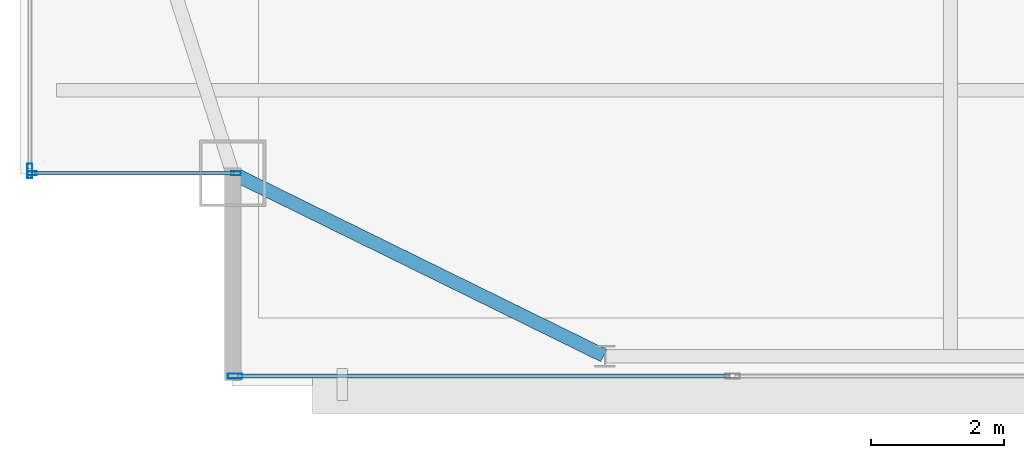
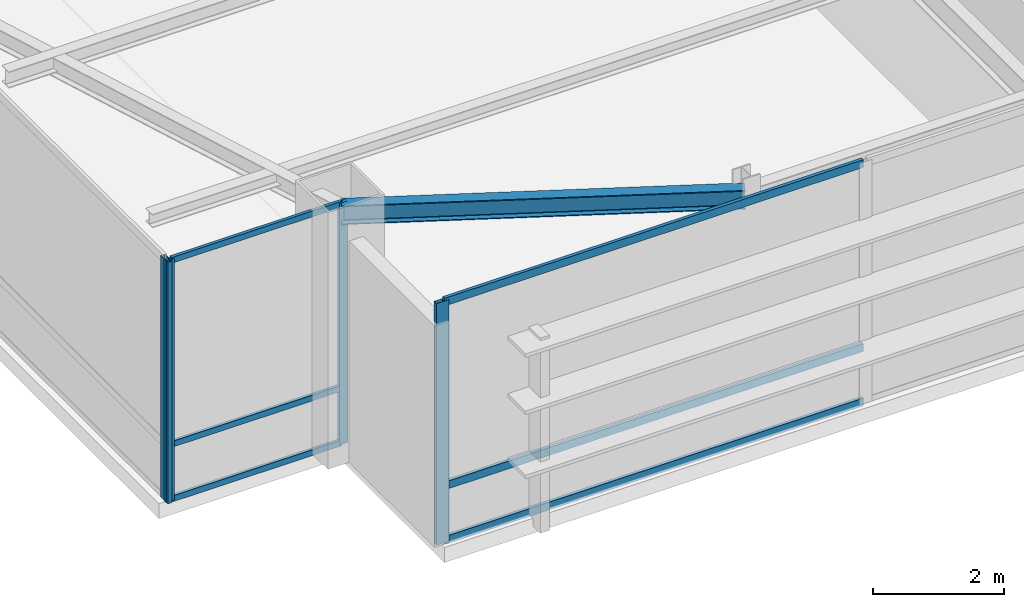
# One storey, part 4 of 21: 10 members, 1 beam, 3 elements without a shape of their own.
"""IFC4 building model written with IfcOpenShell, lengths in metres."""

import ifcopenshell
import ifcopenshell.guid

model = None  # the IFC model being written
_history = None  # IfcOwnerHistory: only IFC2X3 demands one
_inside = {}  # id of a spatial element -> (the spatial element, [elements in it])
_under = {}  # id of a project, library or spatial element -> (it, [spatial elements below it])
_declared = {}  # id of a project -> (the project, [libraries it declares])
_typed = {}  # id of a type object -> (the type object, [elements of that type])
_made_of = {}  # id of a material, layer set ... -> (it, [elements and type objects made of it])


def new_model(schema):
    """Start an empty IFC model of exactly this schema.

    Asked for "IFC4X3", IfcOpenShell would pick the latest addendum, in which some entities
    have other attributes; the version numbers below select the first issue.
    IFC2X3 requires an IfcOwnerHistory on every rooted entity: one is made here for all.
    """
    global model, _history
    if schema == "IFC4X3":
        model = ifcopenshell.file(schema_version=(4, 3, 0, 0))
    else:
        model = ifcopenshell.file(schema=schema)
    _inside.clear()
    _under.clear()
    _declared.clear()
    _typed.clear()
    _made_of.clear()
    _history = None
    if model.schema == "IFC2X3":
        org = make("IfcOrganization", Name="unknown")
        user = make(
            "IfcPersonAndOrganization",
            ThePerson=make("IfcPerson", FamilyName="unknown"),
            TheOrganization=org,
        )
        app = make(
            "IfcApplication",
            ApplicationDeveloper=org,
            Version="unknown",
            ApplicationFullName="unknown",
            ApplicationIdentifier="unknown",
        )
        _history = make(
            "IfcOwnerHistory",
            OwningUser=user,
            OwningApplication=app,
            ChangeAction="ADDED",
            CreationDate=0,
        )
    return model


def make(cls, **values):
    """One entity of the class cls with the attributes given. An attribute that is None is left unset."""
    return model.create_entity(
        cls, **{name: value for name, value in values.items() if value is not None}
    )


def rooted(cls, **values):
    """An entity with a GlobalId (a new one), such as an element, a storey or a relation."""
    return make(cls, GlobalId=ifcopenshell.guid.new(), OwnerHistory=_history, **values)


def si_unit(unit_type, name, prefix=None):
    """IfcSIUnit, for example si_unit("LENGTHUNIT", "METRE", prefix="MILLI")."""
    return make("IfcSIUnit", UnitType=unit_type, Prefix=prefix, Name=name)


def assignment(units):
    """IfcUnitAssignment: the units of a project."""
    return None if units is None else make("IfcUnitAssignment", Units=units)


def point(xyz):
    """IfcCartesianPoint."""
    return None if xyz is None else make("IfcCartesianPoint", Coordinates=xyz)


def direction(xyz):
    """IfcDirection."""
    return None if xyz is None else make("IfcDirection", DirectionRatios=xyz)


def frame(location, z_axis=None, x_axis=None):
    """IfcAxis2Placement3D, a coordinate frame: its origin and axes. An axis left out is left unset."""
    return make(
        "IfcAxis2Placement3D",
        Location=point(location),
        Axis=direction(z_axis),
        RefDirection=direction(x_axis),
    )


def frame_2d(location, x_axis=None):
    """IfcAxis2Placement2D, a coordinate frame in the plane: its origin and x axis."""
    return make(
        "IfcAxis2Placement2D", Location=point(location), RefDirection=direction(x_axis)
    )


def origin():
    """The frame at (0, 0, 0) with its axes left unset."""
    return frame((0.0, 0.0, 0.0))


def origin_2d():
    """The frame at (0, 0) in the plane with its x axis left unset."""
    return frame_2d((0.0, 0.0))


def place(relative_to, where):
    """IfcLocalPlacement: puts the frame where relative to a parent placement (None: the world)."""
    return make(
        "IfcLocalPlacement", PlacementRelTo=relative_to, RelativePlacement=where
    )


def context(
    kind, dimensions, precision=None, world=None, true_north=None, identifier=None
):
    """IfcGeometricRepresentationContext, for example the 3D "Model" context."""
    return make(
        "IfcGeometricRepresentationContext",
        ContextIdentifier=identifier,
        ContextType=kind,
        CoordinateSpaceDimension=dimensions,
        Precision=precision,
        WorldCoordinateSystem=world,
        TrueNorth=true_north,
    )


def subcontext(parent, identifier, kind, view, scale=None):
    """IfcGeometricRepresentationSubContext, for example "Body" below "Model"."""
    return make(
        "IfcGeometricRepresentationSubContext",
        ContextIdentifier=identifier,
        ContextType=kind,
        ParentContext=parent,
        TargetScale=scale,
        TargetView=view,
    )


def project(units=None, contexts=None):
    """IfcProject with its units and contexts."""
    return rooted(
        "IfcProject",
        Name="project",
        RepresentationContexts=contexts,
        UnitsInContext=assignment(units),
    )


def spatial(cls, under=None, at=None, **own):
    """A site, building, storey or space (cls), placed at a placement, below another one or the project."""
    s = rooted(cls, ObjectPlacement=at, **own)
    if under is not None:
        _under.setdefault(under.id(), (under, []))[1].append(s)
    return s


def profile(cls, at=None, kind="AREA", **sizes):
    """A parametric profile (cls). Its sizes go by their IFC names, for example OverallWidth=200.0."""
    return make(cls, ProfileType=kind, Position=at, **sizes)


def hollow_rectangle(**sizes):
    """IfcRectangleHollowProfileDef."""
    return profile("IfcRectangleHollowProfileDef", **sizes)


def i_section(**sizes):
    """IfcIShapeProfileDef."""
    return profile("IfcIShapeProfileDef", **sizes)


def extrude(swept, where, along, depth):
    """IfcExtrudedAreaSolid: the profile swept, set in the frame where, extruded along a direction by depth."""
    return make(
        "IfcExtrudedAreaSolid",
        SweptArea=swept,
        Position=where,
        ExtrudedDirection=direction(along),
        Depth=depth,
    )


def shape(context_of_items, identifier, shape_type, items):
    """IfcShapeRepresentation: the items that make up one representation, for example the "Body"."""
    return make(
        "IfcShapeRepresentation",
        ContextOfItems=context_of_items,
        RepresentationIdentifier=identifier,
        RepresentationType=shape_type,
        Items=items,
    )


def source(mapping_origin, context_of_items, identifier, shape_type, items):
    """IfcRepresentationMap: a shape defined once, which mapped items show again and again."""
    return make(
        "IfcRepresentationMap",
        MappingOrigin=mapping_origin,
        MappedRepresentation=shape(context_of_items, identifier, shape_type, items),
    )


def transform(
    local_origin,
    x_axis=None,
    y_axis=None,
    z_axis=None,
    scale=None,
    scale2=None,
    scale3=None,
    uniform=True,
):
    """IfcCartesianTransformationOperator3D, or its non-uniform kind. x_axis, y_axis, z_axis: its Axis1, 2, 3."""
    if uniform:
        return make(
            "IfcCartesianTransformationOperator3D",
            Axis1=direction(x_axis),
            Axis2=direction(y_axis),
            LocalOrigin=point(local_origin),
            Scale=scale,
            Axis3=direction(z_axis),
        )
    return make(
        "IfcCartesianTransformationOperator3DnonUniform",
        Axis1=direction(x_axis),
        Axis2=direction(y_axis),
        LocalOrigin=point(local_origin),
        Scale=scale,
        Axis3=direction(z_axis),
        Scale2=scale2,
        Scale3=scale3,
    )


def mapped(mapping_source, mapping_target):
    """IfcMappedItem: shows the shape of a source again, moved by a transform."""
    return make(
        "IfcMappedItem", MappingSource=mapping_source, MappingTarget=mapping_target
    )


def material(Name=None, Category=None):
    """IfcMaterial."""
    return make("IfcMaterial", Name=Name, Category=Category)


def layer(
    of_material, thickness, ventilated=None, Name=None, Category=None, Priority=None
):
    """IfcMaterialLayer: one layer of a wall or slab, of a material (None: an air gap)."""
    return make(
        "IfcMaterialLayer",
        Material=of_material,
        LayerThickness=thickness,
        IsVentilated=ventilated,
        Name=Name,
        Category=Category,
        Priority=Priority,
    )


def layer_set(layers, Name=None):
    """IfcMaterialLayerSet."""
    return make("IfcMaterialLayerSet", MaterialLayers=layers, LayerSetName=Name)


def material_profile(
    of_material, cross_section, Name=None, Category=None, Priority=None
):
    """IfcMaterialProfile: a cross section and its material."""
    return make(
        "IfcMaterialProfile",
        Name=Name,
        Material=of_material,
        Profile=cross_section,
        Priority=Priority,
        Category=Category,
    )


def profile_set(profiles, Name=None, composite=None):
    """IfcMaterialProfileSet."""
    return make(
        "IfcMaterialProfileSet",
        Name=Name,
        MaterialProfiles=profiles,
        CompositeProfile=composite,
    )


def made_of(thing, what):
    """Note that an element or type object is made of a material, layer set ...; save() writes the relation."""
    if what is not None:
        _made_of.setdefault(what.id(), (what, []))[1].append(thing)
    return thing


def type_object(cls, material=None, **own):
    """A type object (cls), such as IfcWallType, which elements share."""
    return made_of(rooted(cls, **own), material)


def type_shapes(of_type, sources):
    """Give a type object the sources (RepresentationMaps) that its elements show as mapped items."""
    of_type.RepresentationMaps = sources


def element(
    cls,
    number,
    at=None,
    inside=None,
    cuts=None,
    type_object=None,
    material=None,
    context=None,
    identifier="Body",
    shape_type=None,
    held_by="IfcProductDefinitionShape",
    body=None,
    shapes=None,
    **own,
):
    """One element of the class cls, such as IfcWall. Its Tag is "e" and its number.

    at: its placement. inside: the storey or other place that contains it. cuts: it is an
    opening in that element (IfcRelVoidsElement). A single representation is given by context,
    identifier, shape_type and body (its items); several are given by shapes. held_by: the class
    of the entity that holds the representations. save() writes the other relations.
    """
    e = rooted(cls, Tag="e%d" % number, ObjectPlacement=at, **own)
    if body is not None:
        shapes = [shape(context, identifier, shape_type, body)]
    if shapes is not None:
        e.Representation = make(held_by, Representations=shapes)
    if inside is not None:
        _inside.setdefault(inside.id(), (inside, []))[1].append(e)
    if cuts is not None:
        rooted(
            "IfcRelVoidsElement", RelatingBuildingElement=cuts, RelatedOpeningElement=e
        )
    if type_object is not None:
        _typed.setdefault(type_object.id(), (type_object, []))[1].append(e)
    return made_of(e, material)


def aggregate(whole, parts):
    """IfcRelAggregates: a whole, such as a stair, and the parts it consists of."""
    return rooted("IfcRelAggregates", RelatingObject=whole, RelatedObjects=parts)


def save(model, path):
    """Write the relations noted so far, then the file.

    IfcRelAggregates (storeys below a building ...), IfcRelContainedInSpatialStructure (elements
    in a storey), IfcRelDefinesByType, IfcRelAssociatesMaterial and IfcRelDeclares: one each for
    every whole, place, type object, material and project.
    """
    for whole, parts in _under.values():
        aggregate(whole, parts)
    for where, things in _inside.values():
        rooted(
            "IfcRelContainedInSpatialStructure",
            RelatedElements=things,
            RelatingStructure=where,
        )
    for kind, things in _typed.values():
        rooted("IfcRelDefinesByType", RelatedObjects=things, RelatingType=kind)
    for what, things in _made_of.values():
        rooted("IfcRelAssociatesMaterial", RelatedObjects=things, RelatingMaterial=what)
    for by, libraries in _declared.values():
        rooted("IfcRelDeclares", RelatingContext=by, RelatedDefinitions=libraries)
    model.write(path)


model = new_model("IFC4")

# Units and contexts
model_context = context("Model", 3, precision=1e-05, world=origin(), true_north=direction((0.0, 1.0)))
body_context = subcontext(model_context, "Body", "Model", "MODEL_VIEW")
ifc_project = project(units=[si_unit("LENGTHUNIT", "METRE"), si_unit("AREAUNIT", "SQUARE_METRE"), si_unit("VOLUMEUNIT", "CUBIC_METRE"), si_unit("PLANEANGLEUNIT", "RADIAN"), si_unit("MASSUNIT", "GRAM", prefix="KILO")], contexts=[model_context])

# Site, building, storey
site_placement = place(None, origin())
site = spatial("IfcSite", under=ifc_project, at=site_placement, CompositionType="ELEMENT")
building_placement = place(site_placement, origin())
building = spatial("IfcBuilding", under=site, at=building_placement, Name="Varnel Quay Broadcast Tower", CompositionType="ELEMENT")
storey_placement = place(building_placement, frame((0.0, 0.0, 300.199951171875)))
storey = spatial("IfcBuildingStorey", under=building, at=storey_placement, Name="L75", CompositionType="ELEMENT", Elevation=300.199951171875)

# Beam
ifc_material_1 = material(Name="Structural Steel CSA G40.21 350W", Category="steel")
ifc_material_profile_1 = material_profile(ifc_material_1, i_section(OverallWidth=0.205078125, OverallDepth=0.35400390625, WebThickness=0.009521484375, FlangeThickness=0.016845703125, FilletRadius=0.012939453125, at=origin_2d()), Name="W360X79")
ifc_profile_set_1 = profile_set([ifc_material_profile_1], Name="Structural Steel CSA G40.21 350W")
beam_type = type_object("IfcBeamType", Name="Beam_W360X79", PredefinedType="SPANDREL", material=ifc_profile_set_1)
shared_shape_1 = source(origin(), body_context, "Body", "SweptSolid", [
    extrude(i_section(OverallWidth=0.205078125, OverallDepth=0.35400390625, WebThickness=0.009521484375, FlangeThickness=0.016845703125, FilletRadius=0.012939453125, at=origin_2d()), origin(), (0.0, 0.0, 1.0), 6.19873046875),
])
type_shapes(beam_type, [shared_shape_1])
beam_placement = place(storey_placement, frame((15.218017578125, 16.39111328125, 4.343017578125), z_axis=(0.897602447358, -0.440805905697, 0.0), x_axis=(0.440805905697, 0.897602447358, 0.0)))
element("IfcBeam", 1, at=beam_placement, inside=storey, type_object=beam_type, Name="L75 South Spandrel MC-SW-TC-S1", PredefinedType="SPANDREL", context=body_context, shape_type="MappedRepresentation", body=[
    mapped(shared_shape_1, transform((0.0, 0.0, 0.0), x_axis=(1.0, 0.0, 0.0), y_axis=(0.0, 1.0, 0.0), z_axis=(0.0, 0.0, 1.0), scale=1.0)),
])

# Curtain wall, members
ifc_material_2 = material(Name="Anodised Bronze Aluminium 6063-T6", Category="aluminium")
ifc_layer_1 = layer(ifc_material_2, 0.18994140625, Name="Anodised Bronze Aluminium 6063-T6")
ifc_layer_set_1 = layer_set([ifc_layer_1], Name="Anodised Bronze Aluminium 6063-T6")
curtain_wall_type_1 = type_object("IfcCurtainWallType", Name="CW_NotchCorner", PredefinedType="NOTDEFINED", material=ifc_layer_set_1)
curtain_wall_1_placement = place(storey_placement, origin())
curtain_wall_1 = element("IfcCurtainWall", 2, at=curtain_wall_1_placement, inside=storey, type_object=curtain_wall_type_1, Name="L75 SW Notch Curtain Wall", PredefinedType="NOTDEFINED")
ifc_material_profile_2 = material_profile(ifc_material_2, hollow_rectangle(XDim=0.054931640625, YDim=0.110107421875, WallThickness=0.0029296875, at=origin_2d()), Name="ALU55X110X3")
ifc_profile_set_2 = profile_set([ifc_material_profile_2], Name="Anodised Bronze Aluminium 6063-T6")
member_type_1 = type_object("IfcMemberType", Name="Tran_CWS-04", PredefinedType="USERDEFINED", material=ifc_profile_set_2)
shared_shape_2 = source(origin(), body_context, "Body", "SweptSolid", [
    extrude(hollow_rectangle(XDim=0.054931640625, YDim=0.110107421875, WallThickness=0.0029296875, at=origin_2d()), origin(), (0.0, 0.0, 1.0), 3.010009765625),
])
type_shapes(member_type_1, [shared_shape_2])
member_1_placement = place(storey_placement, frame((12.2099609375, 16.39990234375, 0.027587890625), z_axis=(1.0, 0.0, 0.0), x_axis=(0.0, 1.0, 0.0)))
member_1 = element("IfcMember", 3, at=member_1_placement, type_object=member_type_1, Name="CWS-04 transom 1.1", ObjectType="TRANSOM", PredefinedType="USERDEFINED", context=body_context, shape_type="MappedRepresentation", body=[
    mapped(shared_shape_2, transform((0.0, 0.0, 0.0), x_axis=(1.0, 0.0, 0.0), y_axis=(0.0, 1.0, 0.0), z_axis=(0.0, 0.0, 1.0), scale=1.0)),
])
member_2_placement = place(storey_placement, frame((12.2099609375, 16.39990234375, 1.050048828125), z_axis=(1.0, 0.0, 0.0), x_axis=(0.0, 1.0, 0.0)))
member_2 = element("IfcMember", 4, at=member_2_placement, type_object=member_type_1, Name="CWS-04 transom 1.2", ObjectType="TRANSOM", PredefinedType="USERDEFINED", context=body_context, shape_type="MappedRepresentation", body=[
    mapped(shared_shape_2, transform((0.0, 0.0, 0.0), x_axis=(1.0, 0.0, 0.0), y_axis=(0.0, 1.0, 0.0), z_axis=(0.0, 0.0, 1.0), scale=1.0)),
])
member_3_placement = place(storey_placement, frame((12.2099609375, 16.39990234375, 4.492431640625), z_axis=(1.0, 0.0, 0.0), x_axis=(0.0, 1.0, 0.0)))
member_3 = element("IfcMember", 5, at=member_3_placement, type_object=member_type_1, Name="CWS-04 transom 1.3", ObjectType="TRANSOM", PredefinedType="USERDEFINED", context=body_context, shape_type="MappedRepresentation", body=[
    mapped(shared_shape_2, transform((0.0, 0.0, 0.0), x_axis=(1.0, 0.0, 0.0), y_axis=(0.0, 1.0, 0.0), z_axis=(0.0, 0.0, 1.0), scale=1.0)),
])

# Curtain wall, member
ifc_layer_2 = layer(ifc_material_2, 0.18994140625, Name="Anodised Bronze Aluminium 6063-T6")
ifc_layer_set_2 = layer_set([ifc_layer_2], Name="Anodised Bronze Aluminium 6063-T6")
curtain_wall_type_2 = type_object("IfcCurtainWallType", Name="CW_SkyObsHighVis", PredefinedType="NOTDEFINED", material=ifc_layer_set_2)
curtain_wall_2_placement = place(storey_placement, origin())
curtain_wall_2 = element("IfcCurtainWall", 6, at=curtain_wall_2_placement, inside=storey, type_object=curtain_wall_type_2, Name="L75 South Unitised Curtain Wall 1", PredefinedType="NOTDEFINED")
ifc_material_profile_3 = material_profile(ifc_material_2, hollow_rectangle(XDim=0.074951171875, YDim=0.219970703125, WallThickness=0.00390625, at=origin_2d()), Name="ALU75X220X4")
ifc_profile_set_3 = profile_set([ifc_material_profile_3], Name="Anodised Bronze Aluminium 6063-T6")
member_type_2 = type_object("IfcMemberType", Name="Mull_CWS-05", PredefinedType="MULLION", material=ifc_profile_set_3)
shared_shape_3 = source(origin(), body_context, "Body", "SweptSolid", [
    extrude(hollow_rectangle(XDim=0.074951171875, YDim=0.219970703125, WallThickness=0.00390625, at=origin_2d()), origin(), (0.0, 0.0, 1.0), 4.52001953125),
])
type_shapes(member_type_2, [shared_shape_3])
member_4_placement = place(storey_placement, frame((15.237548828125, 13.35009765625, 0.0), z_axis=(0.0, 0.0, 1.0), x_axis=(0.0, 1.0, 0.0)))
member_4 = element("IfcMember", 7, at=member_4_placement, type_object=member_type_2, Name="CWS-05 mullion 1", PredefinedType="MULLION", context=body_context, shape_type="MappedRepresentation", body=[
    mapped(shared_shape_3, transform((0.0, 0.0, 0.0), x_axis=(1.0, 0.0, 0.0), y_axis=(0.0, 1.0, 0.0), z_axis=(0.0, 0.0, 1.0), scale=1.0)),
])

curtain_wall_3_placement = place(storey_placement, origin())
curtain_wall_3 = element("IfcCurtainWall", 8, at=curtain_wall_3_placement, inside=storey, type_object=curtain_wall_type_2, Name="L75 West Unitised Curtain Wall", PredefinedType="NOTDEFINED")
member_5_placement = place(storey_placement, frame((12.14990234375, 16.4375, 0.0), z_axis=(0.0, 0.0, 1.0), x_axis=(-1.0, 0.0, 0.0)))
member_5 = element("IfcMember", 9, at=member_5_placement, type_object=member_type_2, Name="CWS-05 mullion 1", PredefinedType="MULLION", context=body_context, shape_type="MappedRepresentation", body=[
    mapped(shared_shape_3, transform((0.0, 0.0, 0.0), x_axis=(1.0, 0.0, 0.0), y_axis=(0.0, 1.0, 0.0), z_axis=(0.0, 0.0, 1.0), scale=1.0)),
])
aggregate(curtain_wall_3, [member_5])

# Member
ifc_material_profile_4 = material_profile(ifc_material_2, hollow_rectangle(XDim=0.06005859375, YDim=0.14501953125, WallThickness=0.00341796875, at=origin_2d()), Name="ALU60X145X3.5")
ifc_profile_set_4 = profile_set([ifc_material_profile_4], Name="Anodised Bronze Aluminium 6063-T6")
member_type_3 = type_object("IfcMemberType", Name="Tran_CWS-05", PredefinedType="USERDEFINED", material=ifc_profile_set_4)
shared_shape_4 = source(origin(), body_context, "Body", "SweptSolid", [
    extrude(hollow_rectangle(XDim=0.06005859375, YDim=0.14501953125, WallThickness=0.00341796875, at=origin_2d()), origin(), (0.0, 0.0, 1.0), 7.40771484375),
])
type_shapes(member_type_3, [shared_shape_4])
member_6_placement = place(storey_placement, frame((15.27490234375, 13.35009765625, 0.030029296875), z_axis=(1.0, 0.0, 0.0), x_axis=(0.0, 1.0, 0.0)))
member_6 = element("IfcMember", 10, at=member_6_placement, type_object=member_type_3, Name="CWS-05 transom 1.1", ObjectType="TRANSOM", PredefinedType="USERDEFINED", context=body_context, shape_type="MappedRepresentation", body=[
    mapped(shared_shape_4, transform((0.0, 0.0, 0.0), x_axis=(1.0, 0.0, 0.0), y_axis=(0.0, 1.0, 0.0), z_axis=(0.0, 0.0, 1.0), scale=1.0)),
])

member_7_placement = place(storey_placement, frame((15.27490234375, 13.35009765625, 1.050048828125), z_axis=(1.0, 0.0, 0.0), x_axis=(0.0, 1.0, 0.0)))
member_7 = element("IfcMember", 11, at=member_7_placement, type_object=member_type_3, Name="CWS-05 transom 1.2", ObjectType="TRANSOM", PredefinedType="USERDEFINED", context=body_context, shape_type="MappedRepresentation", body=[
    mapped(shared_shape_4, transform((0.0, 0.0, 0.0), x_axis=(1.0, 0.0, 0.0), y_axis=(0.0, 1.0, 0.0), z_axis=(0.0, 0.0, 1.0), scale=1.0)),
])

member_8_placement = place(storey_placement, frame((15.27490234375, 13.35009765625, 4.489990234375), z_axis=(1.0, 0.0, 0.0), x_axis=(0.0, 1.0, 0.0)))
member_8 = element("IfcMember", 12, at=member_8_placement, type_object=member_type_3, Name="CWS-05 transom 1.3", ObjectType="TRANSOM", PredefinedType="USERDEFINED", context=body_context, shape_type="MappedRepresentation", body=[
    mapped(shared_shape_4, transform((0.0, 0.0, 0.0), x_axis=(1.0, 0.0, 0.0), y_axis=(0.0, 1.0, 0.0), z_axis=(0.0, 0.0, 1.0), scale=1.0)),
])

aggregate(curtain_wall_2, [member_4, member_6, member_7, member_8])

ifc_material_profile_5 = material_profile(ifc_material_2, hollow_rectangle(XDim=0.06005859375, YDim=0.14501953125, WallThickness=0.00341796875, at=origin_2d()), Name="ALU60X145X3.5")
ifc_profile_set_5 = profile_set([ifc_material_profile_5], Name="Anodised Bronze Aluminium 6063-T6")
member_type_4 = type_object("IfcMemberType", Name="Mull_CWS-04", PredefinedType="MULLION", material=ifc_profile_set_5)
shared_shape_5 = source(origin(), body_context, "Body", "SweptSolid", [
    extrude(hollow_rectangle(XDim=0.06005859375, YDim=0.14501953125, WallThickness=0.00341796875, at=origin_2d()), origin(), (0.0, 0.0, 1.0), 4.52001953125),
])
type_shapes(member_type_4, [shared_shape_5])
member_9_placement = place(storey_placement, frame((12.179931640625, 16.39990234375, 0.0), z_axis=(0.0, 0.0, 1.0), x_axis=(0.0, 1.0, 0.0)))
member_9 = element("IfcMember", 13, at=member_9_placement, type_object=member_type_4, Name="CWS-04 mullion 1", PredefinedType="MULLION", context=body_context, shape_type="MappedRepresentation", body=[
    mapped(shared_shape_5, transform((0.0, 0.0, 0.0), x_axis=(1.0, 0.0, 0.0), y_axis=(0.0, 1.0, 0.0), z_axis=(0.0, 0.0, 1.0), scale=1.0)),
])

member_10_placement = place(storey_placement, frame((15.25, 16.39990234375, 0.0), z_axis=(0.0, 0.0, 1.0), x_axis=(0.0, 1.0, 0.0)))
member_10 = element("IfcMember", 14, at=member_10_placement, type_object=member_type_4, Name="CWS-04 mullion 2", PredefinedType="MULLION", context=body_context, shape_type="MappedRepresentation", body=[
    mapped(shared_shape_5, transform((0.0, 0.0, 0.0), x_axis=(1.0, 0.0, 0.0), y_axis=(0.0, 1.0, 0.0), z_axis=(0.0, 0.0, 1.0), scale=1.0)),
])

aggregate(curtain_wall_1, [member_9, member_10, member_1, member_2, member_3])

save(model, "model.ifc")
